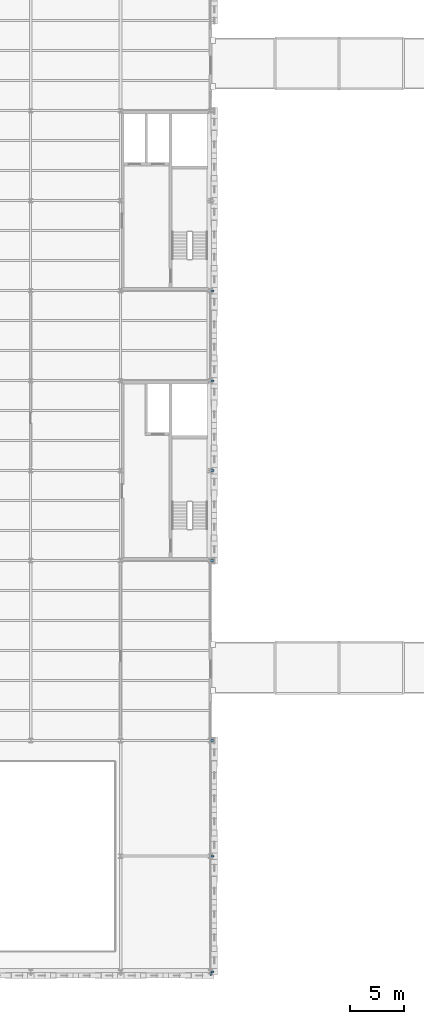
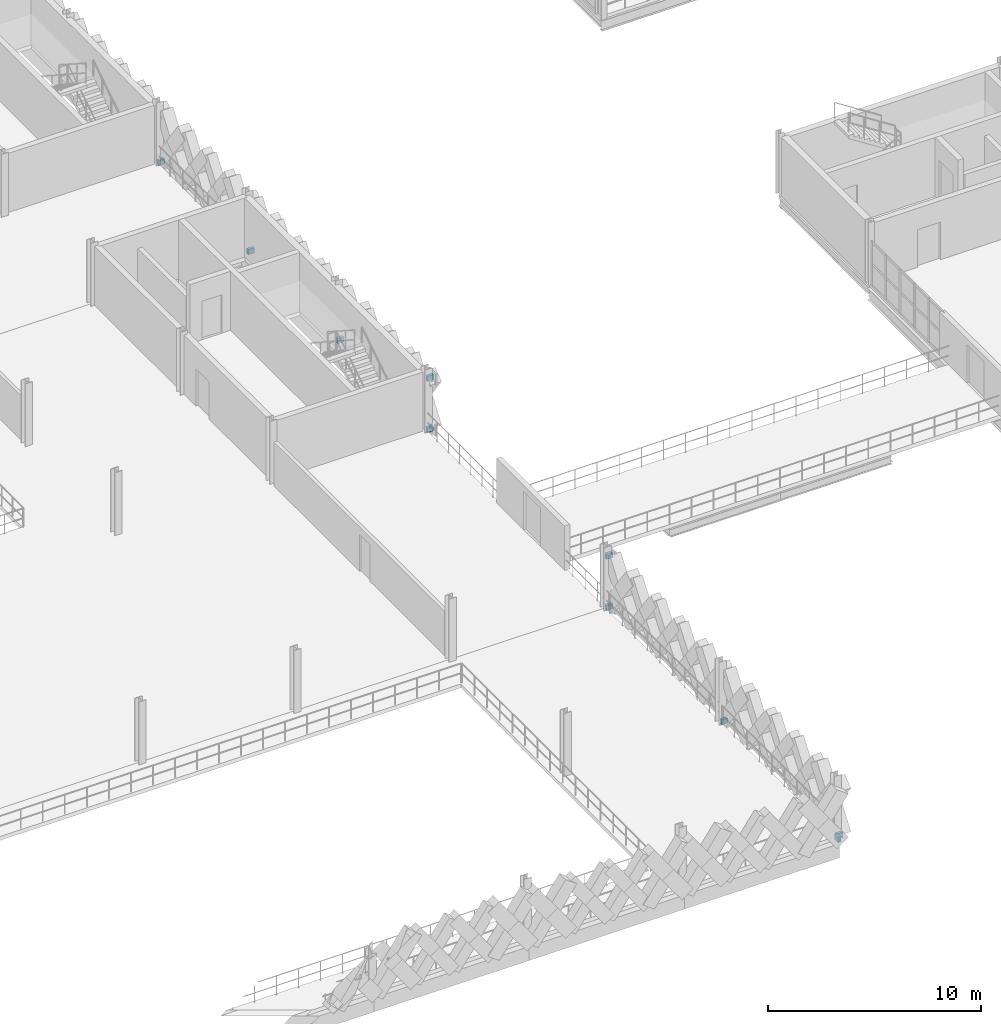
# One storey, part 63 of 101: 10 members.
"""IFC4 building model written with IfcOpenShell, lengths in metres."""

from ifc_helpers import new_model, si_unit, direction, frame, origin, origin_2d, place, context, subcontext, project, spatial, hollow_rectangle, extrude, material, material_profile, profile_set, type_object, element, save


model = new_model("IFC4")

# Units and contexts
model_context = context("Model", 3, precision=1e-05, world=origin(), true_north=direction((0.0, 1.0)))
body_context = subcontext(model_context, "Body", "Model", "MODEL_VIEW")
ifc_project = project(units=[si_unit("LENGTHUNIT", "METRE"), si_unit("AREAUNIT", "SQUARE_METRE"), si_unit("VOLUMEUNIT", "CUBIC_METRE"), si_unit("PLANEANGLEUNIT", "RADIAN"), si_unit("MASSUNIT", "GRAM", prefix="KILO"), si_unit("THERMODYNAMICTEMPERATUREUNIT", "KELVIN"), si_unit("POWERUNIT", "WATT")], contexts=[model_context])

# Site, building, storey
site_placement = place(None, origin())
site = spatial("IfcSite", under=ifc_project, at=site_placement, CompositionType="ELEMENT")
building_placement = place(site_placement, origin())
building = spatial("IfcBuilding", under=site, at=building_placement, Name="Tembeka Court Mobility Hub", CompositionType="ELEMENT")
storey_placement = place(building_placement, frame((0.0, 0.0, 5.39990234375)))
storey = spatial("IfcBuildingStorey", under=building, at=storey_placement, Name="L01", CompositionType="ELEMENT", Elevation=5.39990234375)

# Members
ifc_material = material(Name="Steel S355", Category="steel")
ifc_material_profile = material_profile(ifc_material, hollow_rectangle(XDim=0.14990234375, YDim=0.300048828125, WallThickness=0.010009765625, at=origin_2d()), Name="RHS 300x150x10")
ifc_profile_set = profile_set([ifc_material_profile], Name="Steel S355")
member_type = type_object("IfcMemberType", Name="MEM-ST03", PredefinedType="STRUT", material=ifc_profile_set)
for number, where, z_axis, x_axis, name in (
    (1, (92.39990234375, 0.0, 0.02001953125), (0.0, -1.0, 0.0), (1.0, 0.0, 0.0), "Lattice outrigger tie SR03 (L01-Y-92)"),
    (2, (92.39990234375, 0.0, 0.02001953125), (1.0, 0.0, 0.0), (0.0, 1.0, 0.0), "Lattice outrigger tie SR03 (L01-X-0)"),
    (3, (92.39990234375, 10.800048828125, 0.02001953125), (1.0, 0.0, 0.0), (0.0, 1.0, 0.0), "Lattice outrigger tie SR03 (L01-X-10)"),
    (4, (92.39990234375, 21.60009765625, 0.02001953125), (1.0, 0.0, 0.0), (0.0, 1.0, 0.0), "Lattice outrigger tie SR03 (L01-X-21)"),
    (5, (92.39990234375, 21.60009765625, 2.9501953125), (1.0, 0.0, 0.0), (0.0, 1.0, 0.0), "Lattice portal top outrigger tie SR03 (L01-X-21)"),
    (6, (92.39990234375, 38.39990234375, 0.02001953125), (1.0, 0.0, 0.0), (0.0, 1.0, 0.0), "Lattice outrigger tie SR03 (L01-X-38)"),
    (7, (92.39990234375, 38.39990234375, 2.9501953125), (1.0, 0.0, 0.0), (0.0, 1.0, 0.0), "Lattice portal top outrigger tie SR03 (L01-X-38)"),
    (8, (92.39990234375, 46.800048828125, 0.02001953125), (1.0, 0.0, 0.0), (0.0, 1.0, 0.0), "Lattice outrigger tie SR03 (L01-X-46)"),
    (9, (92.39990234375, 55.199951171875, 0.02001953125), (1.0, 0.0, 0.0), (0.0, 1.0, 0.0), "Lattice outrigger tie SR03 (L01-X-55)"),
    (10, (92.39990234375, 63.60009765625, 0.02001953125), (1.0, 0.0, 0.0), (0.0, 1.0, 0.0), "Lattice outrigger tie SR03 (L01-X-63)"),
):
    element("IfcMember", number, at=place(storey_placement, frame(where, z_axis=z_axis, x_axis=x_axis)), inside=storey, type_object=member_type, Name=name, PredefinedType="STRUT", context=body_context, shape_type="SweptSolid", body=[
        extrude(hollow_rectangle(XDim=0.14990234375, YDim=0.300048828125, WallThickness=0.010009765625, at=origin_2d()), origin(), (0.0, 0.0, 1.0), 0.340087890625),
    ])

save(model, "model.ifc")
